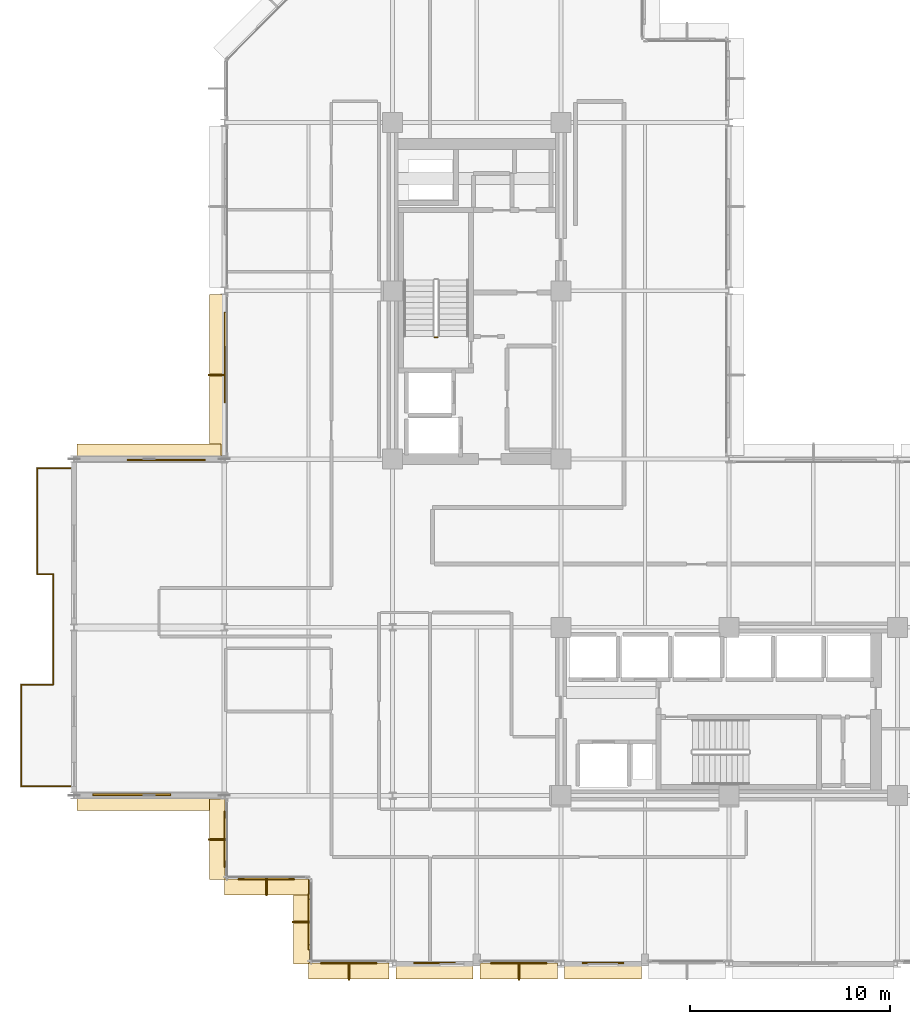
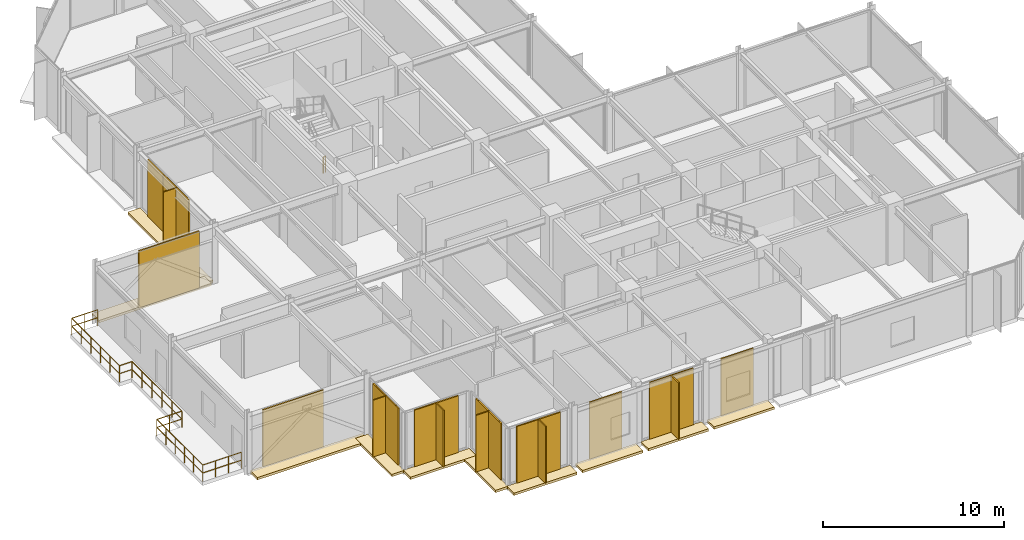
# One storey, part 28 of 30: 20 coverings, 12 shading devices, 8 railings.
"""IFC4 building model written with IfcOpenShell, lengths in metres."""

from ifc_helpers import new_model, si_unit, direction, frame, origin, origin_2d, place, context, subcontext, project, spatial, polyline, rectangle, circle, outline, extrude, material, layer, layer_set, type_object, element, save


model = new_model("IFC4")

# Units and contexts
model_context = context("Model", 3, precision=1e-05, world=origin(), true_north=direction((0.0, 1.0)))
body_context = subcontext(model_context, "Body", "Model", "MODEL_VIEW")
ifc_project = project(units=[si_unit("LENGTHUNIT", "METRE"), si_unit("AREAUNIT", "SQUARE_METRE"), si_unit("VOLUMEUNIT", "CUBIC_METRE"), si_unit("PLANEANGLEUNIT", "RADIAN"), si_unit("MASSUNIT", "GRAM", prefix="KILO")], contexts=[model_context])

# Site, building, storey
site_placement = place(None, origin())
site = spatial("IfcSite", under=ifc_project, at=site_placement, CompositionType="ELEMENT")
building_placement = place(site_placement, origin())
building = spatial("IfcBuilding", under=site, at=building_placement, Name="Nerrivon Quay Data Exchange", CompositionType="ELEMENT")
storey_placement = place(building_placement, frame((0.0, 0.0, 171.39990234375)))
storey = spatial("IfcBuildingStorey", under=building, at=storey_placement, Name="L40", CompositionType="ELEMENT", Elevation=171.39990234375)

# Coverings
ifc_material_1 = material(Name="Architectural terracotta ceramic", Category="masonry")
ifc_layer_1 = layer(ifc_material_1, 0.159912109375)
ifc_layer_set_1 = layer_set([ifc_layer_1], Name="Architectural terracotta ceramic")
covering_type_1 = type_object("IfcCoveringType", Name="COV-BLD-TERR", PredefinedType="CLADDING", material=ifc_layer_set_1)
covering_1_placement = place(storey_placement, frame((0.0, 0.0, -0.159912109375)))
element("IfcCovering", 1, at=covering_1_placement, inside=storey, type_object=covering_type_1, Name="L40 Horizontal Terracotta SOLAR SCREEN Blade", PredefinedType="CLADDING", context=body_context, shape_type="SweptSolid", body=[
    extrude(outline(polyline([(-7.344482421875, 25.159912109375), (-0.175048828125, 25.159912109375), (-0.175048828125, 25.949951171875), (-7.344482421875, 25.949951171875), (-7.344482421875, 25.159912109375)])), origin(), (0.0, 0.0, 1.0), 0.159912109375),
])
covering_2_placement = place(storey_placement, frame((0.0, 0.0, -0.159912109375)))
element("IfcCovering", 2, at=covering_2_placement, inside=storey, type_object=covering_type_1, Name="L40 Horizontal Terracotta SOLAR SCREEN Blade", PredefinedType="CLADDING", context=body_context, shape_type="SweptSolid", body=[
    extrude(outline(polyline([(0.0400390625, 25.375), (0.0400390625, 33.425048828125), (-0.75, 33.425048828125), (-0.75, 25.375), (0.0400390625, 25.375)])), origin(), (0.0, 0.0, 1.0), 0.159912109375),
])
covering_3_placement = place(storey_placement, frame((0.0, 0.0, -0.159912109375)))
element("IfcCovering", 3, at=covering_3_placement, inside=storey, type_object=covering_type_1, Name="L40 Horizontal Terracotta SOLAR SCREEN Blade", PredefinedType="CLADDING", context=body_context, shape_type="SweptSolid", body=[
    extrude(outline(polyline([(20.824951171875, 0.0400390625), (16.97509765625, 0.0400390625), (16.97509765625, -0.75), (20.824951171875, -0.75), (20.824951171875, 0.0400390625)])), origin(), (0.0, 0.0, 1.0), 0.159912109375),
])
covering_4_placement = place(storey_placement, frame((0.0, 0.0, -0.159912109375)))
element("IfcCovering", 4, at=covering_4_placement, inside=storey, type_object=covering_type_1, Name="L40 Horizontal Terracotta SOLAR SCREEN Blade", PredefinedType="CLADDING", context=body_context, shape_type="SweptSolid", body=[
    extrude(outline(polyline([(16.625, 0.0400390625), (12.77490234375, 0.0400390625), (12.77490234375, -0.75), (16.625, -0.75), (16.625, 0.0400390625)])), origin(), (0.0, 0.0, 1.0), 0.159912109375),
])
covering_5_placement = place(storey_placement, frame((0.0, 0.0, -0.159912109375)))
element("IfcCovering", 5, at=covering_5_placement, inside=storey, type_object=covering_type_1, Name="L40 Horizontal Terracotta SOLAR SCREEN Blade", PredefinedType="CLADDING", context=body_context, shape_type="SweptSolid", body=[
    extrude(outline(polyline([(12.425048828125, 0.0400390625), (8.574951171875, 0.0400390625), (8.574951171875, -0.75), (12.425048828125, -0.75), (12.425048828125, 0.0400390625)])), origin(), (0.0, 0.0, 1.0), 0.159912109375),
])
covering_6_placement = place(storey_placement, frame((0.0, 0.0, -0.159912109375)))
element("IfcCovering", 6, at=covering_6_placement, inside=storey, type_object=covering_type_1, Name="L40 Horizontal Terracotta SOLAR SCREEN Blade", PredefinedType="CLADDING", context=body_context, shape_type="SweptSolid", body=[
    extrude(outline(polyline([(8.22509765625, 0.0400390625), (4.199951171875, 0.0400390625), (4.199951171875, -0.75), (8.22509765625, -0.75), (8.22509765625, 0.0400390625)])), origin(), (0.0, 0.0, 1.0), 0.159912109375),
])
covering_7_placement = place(storey_placement, frame((0.0, 0.0, -0.159912109375)))
element("IfcCovering", 7, at=covering_7_placement, inside=storey, type_object=covering_type_1, Name="L40 Horizontal Terracotta SOLAR SCREEN Blade", PredefinedType="CLADDING", context=body_context, shape_type="SweptSolid", body=[
    extrude(outline(polyline([(4.239990234375, 0.0), (4.239990234375, 4.199951171875), (3.449951171875, 4.199951171875), (3.449951171875, 0.0), (4.239990234375, 0.0)])), origin(), (0.0, 0.0, 1.0), 0.159912109375),
])
covering_8_placement = place(storey_placement, frame((0.0, 0.0, -0.159912109375)))
element("IfcCovering", 8, at=covering_8_placement, inside=storey, type_object=covering_type_1, Name="L40 Horizontal Terracotta SOLAR SCREEN Blade", PredefinedType="CLADDING", context=body_context, shape_type="SweptSolid", body=[
    extrude(outline(polyline([(4.199951171875, 4.239990234375), (0.0, 4.239990234375), (0.0, 3.449951171875), (4.199951171875, 3.449951171875), (4.199951171875, 4.239990234375)])), origin(), (0.0, 0.0, 1.0), 0.159912109375),
])
covering_9_placement = place(storey_placement, frame((0.0, 0.0, -0.159912109375)))
element("IfcCovering", 9, at=covering_9_placement, inside=storey, type_object=covering_type_1, Name="L40 Horizontal Terracotta SOLAR SCREEN Blade", PredefinedType="CLADDING", context=body_context, shape_type="SweptSolid", body=[
    extrude(outline(polyline([(0.0400390625, 4.199951171875), (0.0400390625, 8.22509765625), (-0.75, 8.22509765625), (-0.75, 4.199951171875), (0.0400390625, 4.199951171875)])), origin(), (0.0, 0.0, 1.0), 0.159912109375),
])
covering_10_placement = place(storey_placement, frame((0.0, 0.0, -0.159912109375)))
element("IfcCovering", 10, at=covering_10_placement, inside=storey, type_object=covering_type_1, Name="L40 Horizontal Terracotta SOLAR SCREEN Blade", PredefinedType="CLADDING", context=body_context, shape_type="SweptSolid", body=[
    extrude(outline(polyline([(-0.175048828125, 8.43994140625), (-7.344482421875, 8.43994140625), (-7.344482421875, 7.64990234375), (-0.175048828125, 7.64990234375), (-0.175048828125, 8.43994140625)])), origin(), (0.0, 0.0, 1.0), 0.159912109375),
])
ifc_layer_2 = layer(ifc_material_1, 0.090087890625)
ifc_layer_set_2 = layer_set([ifc_layer_2], Name="Architectural terracotta ceramic")
covering_type_2 = type_object("IfcCoveringType", Name="COV-SCR-TERR", PredefinedType="CLADDING", material=ifc_layer_set_2)
covering_11_placement = place(storey_placement, frame((-2.8994140625, 25.155029296875, 0.0), z_axis=(0.0, 0.0, 1.0), x_axis=(1.0, 0.0, 0.0)))
element("IfcCovering", 11, at=covering_11_placement, inside=storey, type_object=covering_type_2, Name="L40 Perforated Terracotta SOLAR SCREEN Cassette", PredefinedType="CLADDING", context=body_context, shape_type="SweptSolid", body=[
    extrude(rectangle(XDim=3.8720703125, YDim=0.090087890625, at=origin_2d()), origin(), (0.0, 0.0, 1.0), 3.824951171875),
])
covering_12_placement = place(storey_placement, frame((0.044921875, 30.365966796875, 0.0), z_axis=(0.0, 0.0, 1.0), x_axis=(0.0, 1.0, 0.0)))
element("IfcCovering", 12, at=covering_12_placement, inside=storey, type_object=covering_type_2, Name="L40 Perforated Terracotta SOLAR SCREEN Cassette", PredefinedType="CLADDING", context=body_context, shape_type="SweptSolid", body=[
    extrude(rectangle(XDim=4.346923828125, YDim=0.090087890625, at=origin_2d()), origin(), (0.0, 0.0, 1.0), 3.824951171875),
])
for number, where, z_axis, x_axis, name in (
    (13, (18.89990234375, 0.044921875, 0.0), (0.0, 0.0, 1.0), (-1.0, 0.0, 0.0), "L40 Perforated Terracotta SOLAR SCREEN Cassette"),
    (14, (14.699951171875, 0.044921875, 0.0), (0.0, 0.0, 1.0), (-1.0, 0.0, 0.0), "L40 Perforated Terracotta SOLAR SCREEN Cassette"),
    (15, (10.5, 0.044921875, 0.0), (0.0, 0.0, 1.0), (-1.0, 0.0, 0.0), "L40 Perforated Terracotta SOLAR SCREEN Cassette"),
):
    element("IfcCovering", number, at=place(storey_placement, frame(where, z_axis=z_axis, x_axis=x_axis)), inside=storey, type_object=covering_type_2, Name=name, PredefinedType="CLADDING", context=body_context, shape_type="SweptSolid", body=[
        extrude(rectangle(XDim=2.0791015625, YDim=0.090087890625, at=origin_2d()), origin(), (0.0, 0.0, 1.0), 3.824951171875),
    ])
covering_13_placement = place(storey_placement, frame((6.21240234375, 0.044921875, 0.0), z_axis=(0.0, 0.0, 1.0), x_axis=(-1.0, 0.0, 0.0)))
element("IfcCovering", 16, at=covering_13_placement, inside=storey, type_object=covering_type_2, Name="L40 Perforated Terracotta SOLAR SCREEN Cassette", PredefinedType="CLADDING", context=body_context, shape_type="SweptSolid", body=[
    extrude(rectangle(XDim=2.173095703125, YDim=0.090087890625, at=origin_2d()), origin(), (0.0, 0.0, 1.0), 3.824951171875),
])
for number, where, z_axis, x_axis, name in (
    (17, (4.2451171875, 2.10009765625, 0.0), (0.0, 0.0, 1.0), (0.0, 1.0, 0.0), "L40 Perforated Terracotta SOLAR SCREEN Cassette"),
    (18, (2.10009765625, 4.2451171875, 0.0), (0.0, 0.0, 1.0), (-1.0, 0.0, 0.0), "L40 Perforated Terracotta SOLAR SCREEN Cassette"),
):
    element("IfcCovering", number, at=place(storey_placement, frame(where, z_axis=z_axis, x_axis=x_axis)), inside=storey, type_object=covering_type_2, Name=name, PredefinedType="CLADDING", context=body_context, shape_type="SweptSolid", body=[
        extrude(rectangle(XDim=2.26806640625, YDim=0.090087890625, at=origin_2d()), origin(), (0.0, 0.0, 1.0), 3.824951171875),
    ])
covering_14_placement = place(storey_placement, frame((0.044921875, 6.21240234375, 0.0), z_axis=(0.0, 0.0, 1.0), x_axis=(0.0, 1.0, 0.0)))
element("IfcCovering", 19, at=covering_14_placement, inside=storey, type_object=covering_type_2, Name="L40 Perforated Terracotta SOLAR SCREEN Cassette", PredefinedType="CLADDING", context=body_context, shape_type="SweptSolid", body=[
    extrude(rectangle(XDim=2.173095703125, YDim=0.090087890625, at=origin_2d()), origin(), (0.0, 0.0, 1.0), 3.824951171875),
])
covering_15_placement = place(storey_placement, frame((-4.6201171875, 8.445068359375, 0.0), z_axis=(0.0, 0.0, 1.0), x_axis=(-1.0, 0.0, 0.0)))
element("IfcCovering", 20, at=covering_15_placement, inside=storey, type_object=covering_type_2, Name="L40 Perforated Terracotta SOLAR SCREEN Cassette", PredefinedType="CLADDING", context=body_context, shape_type="SweptSolid", body=[
    extrude(rectangle(XDim=3.8720703125, YDim=0.090087890625, at=origin_2d()), origin(), (0.0, 0.0, 1.0), 3.824951171875),
])

# Railings
ifc_material_2 = material(Name="Steel Grade C350L0 (350 MPa)", Category="steel")
railing_type_1 = type_object("IfcRailingType", Name="RAIL-GUARD-GR2", PredefinedType="BALUSTRADE", material=ifc_material_2)
railing_1_placement = place(storey_placement, frame((-7.679931640625, 8.860107421875, 0.0)))
element("IfcRailing", 21, at=railing_1_placement, inside=storey, type_object=railing_type_1, Name="L40 Verandah Balcony Guard 1.1 1", PredefinedType="BALUSTRADE", context=body_context, shape_type="SweptSolid", body=[
    extrude(circle(Radius=0.02392578125, at=origin_2d()), frame((0.0, 0.0, 1.09619140625), z_axis=(-1.0, 0.0, 0.0), x_axis=(0.0, -1.0, 0.0)), (0.0, 0.0, 1.0), 2.4599609375),
    extrude(circle(Radius=0.02392578125, at=origin_2d()), frame((0.0, 0.0, 0.56005859375), z_axis=(-1.0, 0.0, 0.0), x_axis=(0.0, -1.0, 0.0)), (0.0, 0.0, 1.0), 2.4599609375),
    extrude(circle(Radius=0.02099609375, at=origin_2d()), origin(), (0.0, 0.0, 1.0), 1.072021484375),
    extrude(circle(Radius=0.02099609375, at=origin_2d()), frame((-0.820068359375, 0.0, 0.0)), (0.0, 0.0, 1.0), 1.072021484375),
    extrude(circle(Radius=0.02099609375, at=origin_2d()), frame((-1.639892578125, 0.0, 0.0)), (0.0, 0.0, 1.0), 1.072021484375),
    extrude(circle(Radius=0.02099609375, at=origin_2d()), frame((-2.4599609375, 0.0, 0.0)), (0.0, 0.0, 1.0), 1.072021484375),
])
railing_2_placement = place(storey_placement, frame((-10.139892578125, 8.860107421875, 0.0)))
element("IfcRailing", 22, at=railing_2_placement, inside=storey, type_object=railing_type_1, Name="L40 Verandah Balcony Guard 1.2 1", PredefinedType="BALUSTRADE", context=body_context, shape_type="SweptSolid", body=[
    extrude(circle(Radius=0.02392578125, at=origin_2d()), frame((0.0, 0.0, 1.09619140625), z_axis=(0.0, 1.0, 0.0), x_axis=(-1.0, 0.0, 0.0)), (0.0, 0.0, 1.0), 5.079833984375),
    extrude(circle(Radius=0.02392578125, at=origin_2d()), frame((0.0, 0.0, 0.56005859375), z_axis=(0.0, 1.0, 0.0), x_axis=(-1.0, 0.0, 0.0)), (0.0, 0.0, 1.0), 5.079833984375),
    extrude(circle(Radius=0.02099609375, at=origin_2d()), origin(), (0.0, 0.0, 1.0), 1.072021484375),
    extrude(circle(Radius=0.02099609375, at=origin_2d()), frame((0.0, 1.015869140625, 0.0)), (0.0, 0.0, 1.0), 1.072021484375),
    extrude(circle(Radius=0.02099609375, at=origin_2d()), frame((0.0, 2.031982421875, 0.0)), (0.0, 0.0, 1.0), 1.072021484375),
    extrude(circle(Radius=0.02099609375, at=origin_2d()), frame((0.0, 3.0478515625, 0.0)), (0.0, 0.0, 1.0), 1.072021484375),
    extrude(circle(Radius=0.02099609375, at=origin_2d()), frame((0.0, 4.06396484375, 0.0)), (0.0, 0.0, 1.0), 1.072021484375),
    extrude(circle(Radius=0.02099609375, at=origin_2d()), frame((0.0, 5.079833984375, 0.0)), (0.0, 0.0, 1.0), 1.072021484375),
])
railing_3_placement = place(storey_placement, frame((-10.139892578125, 13.93994140625, 0.0)))
element("IfcRailing", 23, at=railing_3_placement, inside=storey, type_object=railing_type_1, Name="L40 Verandah Balcony Guard 1.3 1", PredefinedType="BALUSTRADE", context=body_context, shape_type="SweptSolid", body=[
    extrude(circle(Radius=0.02392578125, at=origin_2d()), frame((0.0, 0.0, 1.09619140625), z_axis=(1.0, 0.0, 0.0), x_axis=(0.0, 1.0, 0.0)), (0.0, 0.0, 1.0), 1.599853515625),
    extrude(circle(Radius=0.02392578125, at=origin_2d()), frame((0.0, 0.0, 0.56005859375), z_axis=(1.0, 0.0, 0.0), x_axis=(0.0, 1.0, 0.0)), (0.0, 0.0, 1.0), 1.599853515625),
    extrude(circle(Radius=0.02099609375, at=origin_2d()), origin(), (0.0, 0.0, 1.0), 1.072021484375),
    extrude(circle(Radius=0.02099609375, at=origin_2d()), frame((0.7998046875, 0.0, 0.0)), (0.0, 0.0, 1.0), 1.072021484375),
    extrude(circle(Radius=0.02099609375, at=origin_2d()), frame((1.599853515625, 0.0, 0.0)), (0.0, 0.0, 1.0), 1.072021484375),
])
railing_4_placement = place(storey_placement, frame((-8.5400390625, 13.93994140625, 0.0)))
element("IfcRailing", 24, at=railing_4_placement, inside=storey, type_object=railing_type_1, Name="L40 Verandah Balcony Guard 1.4 1", PredefinedType="BALUSTRADE", context=body_context, shape_type="SweptSolid", body=[
    extrude(circle(Radius=0.02392578125, at=origin_2d()), frame((0.0, 0.0, 1.09619140625), z_axis=(0.0, 1.0, 0.0), x_axis=(-1.0, 0.0, 0.0)), (0.0, 0.0, 1.0), 5.52001953125),
    extrude(circle(Radius=0.02392578125, at=origin_2d()), frame((0.0, 0.0, 0.56005859375), z_axis=(0.0, 1.0, 0.0), x_axis=(-1.0, 0.0, 0.0)), (0.0, 0.0, 1.0), 5.52001953125),
    extrude(circle(Radius=0.02099609375, at=origin_2d()), origin(), (0.0, 0.0, 1.0), 1.072021484375),
    extrude(circle(Radius=0.02099609375, at=origin_2d()), frame((0.0, 1.10400390625, 0.0)), (0.0, 0.0, 1.0), 1.072021484375),
    extrude(circle(Radius=0.02099609375, at=origin_2d()), frame((0.0, 2.2080078125, 0.0)), (0.0, 0.0, 1.0), 1.072021484375),
    extrude(circle(Radius=0.02099609375, at=origin_2d()), frame((0.0, 3.31201171875, 0.0)), (0.0, 0.0, 1.0), 1.072021484375),
    extrude(circle(Radius=0.02099609375, at=origin_2d()), frame((0.0, 4.416015625, 0.0)), (0.0, 0.0, 1.0), 1.072021484375),
    extrude(circle(Radius=0.02099609375, at=origin_2d()), frame((0.0, 5.52001953125, 0.0)), (0.0, 0.0, 1.0), 1.072021484375),
])
railing_5_placement = place(storey_placement, frame((-8.5400390625, 19.4599609375, 0.0)))
element("IfcRailing", 25, at=railing_5_placement, inside=storey, type_object=railing_type_1, Name="L40 Verandah Balcony Guard 1.5 1", PredefinedType="BALUSTRADE", context=body_context, shape_type="SweptSolid", body=[
    extrude(circle(Radius=0.02392578125, at=origin_2d()), frame((0.0, 0.0, 1.09619140625), z_axis=(-1.0, 0.0, 0.0), x_axis=(0.0, -1.0, 0.0)), (0.0, 0.0, 1.0), 0.800048828125),
    extrude(circle(Radius=0.02392578125, at=origin_2d()), frame((0.0, 0.0, 0.56005859375), z_axis=(-1.0, 0.0, 0.0), x_axis=(0.0, -1.0, 0.0)), (0.0, 0.0, 1.0), 0.800048828125),
    extrude(circle(Radius=0.02099609375, at=origin_2d()), origin(), (0.0, 0.0, 1.0), 1.072021484375),
    extrude(circle(Radius=0.02099609375, at=origin_2d()), frame((-0.800048828125, 0.0, 0.0)), (0.0, 0.0, 1.0), 1.072021484375),
])
railing_6_placement = place(storey_placement, frame((-9.340087890625, 19.4599609375, 0.0)))
element("IfcRailing", 26, at=railing_6_placement, inside=storey, type_object=railing_type_1, Name="L40 Verandah Balcony Guard 1.6 1", PredefinedType="BALUSTRADE", context=body_context, shape_type="SweptSolid", body=[
    extrude(circle(Radius=0.02392578125, at=origin_2d()), frame((0.0, 0.0, 1.09619140625), z_axis=(0.0, 1.0, 0.0), x_axis=(-1.0, 0.0, 0.0)), (0.0, 0.0, 1.0), 5.280029296875),
    extrude(circle(Radius=0.02392578125, at=origin_2d()), frame((0.0, 0.0, 0.56005859375), z_axis=(0.0, 1.0, 0.0), x_axis=(-1.0, 0.0, 0.0)), (0.0, 0.0, 1.0), 5.280029296875),
    extrude(circle(Radius=0.02099609375, at=origin_2d()), origin(), (0.0, 0.0, 1.0), 1.072021484375),
    extrude(circle(Radius=0.02099609375, at=origin_2d()), frame((0.0, 1.055908203125, 0.0)), (0.0, 0.0, 1.0), 1.072021484375),
    extrude(circle(Radius=0.02099609375, at=origin_2d()), frame((0.0, 2.112060546875, 0.0)), (0.0, 0.0, 1.0), 1.072021484375),
    extrude(circle(Radius=0.02099609375, at=origin_2d()), frame((0.0, 3.16796875, 0.0)), (0.0, 0.0, 1.0), 1.072021484375),
    extrude(circle(Radius=0.02099609375, at=origin_2d()), frame((0.0, 4.22412109375, 0.0)), (0.0, 0.0, 1.0), 1.072021484375),
    extrude(circle(Radius=0.02099609375, at=origin_2d()), frame((0.0, 5.280029296875, 0.0)), (0.0, 0.0, 1.0), 1.072021484375),
])
railing_7_placement = place(storey_placement, frame((-9.340087890625, 24.739990234375, 0.0)))
element("IfcRailing", 27, at=railing_7_placement, inside=storey, type_object=railing_type_1, Name="L40 Verandah Balcony Guard 1.7 1", PredefinedType="BALUSTRADE", context=body_context, shape_type="SweptSolid", body=[
    extrude(circle(Radius=0.02392578125, at=origin_2d()), frame((0.0, 0.0, 1.09619140625), z_axis=(1.0, 0.0, 0.0), x_axis=(0.0, 1.0, 0.0)), (0.0, 0.0, 1.0), 1.66015625),
    extrude(circle(Radius=0.02392578125, at=origin_2d()), frame((0.0, 0.0, 0.56005859375), z_axis=(1.0, 0.0, 0.0), x_axis=(0.0, 1.0, 0.0)), (0.0, 0.0, 1.0), 1.66015625),
    extrude(circle(Radius=0.02099609375, at=origin_2d()), origin(), (0.0, 0.0, 1.0), 1.072021484375),
    extrude(circle(Radius=0.02099609375, at=origin_2d()), frame((0.830078125, 0.0, 0.0)), (0.0, 0.0, 1.0), 1.072021484375),
    extrude(circle(Radius=0.02099609375, at=origin_2d()), frame((1.66015625, 0.0, 0.0)), (0.0, 0.0, 1.0), 1.072021484375),
])
railing_type_2 = type_object("IfcRailingType", Name="RAIL-STAIR-GR1", PredefinedType="BALUSTRADE", material=ifc_material_2)
railing_8_placement = place(storey_placement, frame((10.64990234375, 31.280029296875, 0.0)))
element("IfcRailing", 28, at=railing_8_placement, inside=storey, type_object=railing_type_2, Name="L40 ST01 stair guard 4", PredefinedType="BALUSTRADE", context=body_context, shape_type="SweptSolid", body=[
    extrude(circle(Radius=0.02392578125, at=origin_2d()), frame((0.0, 0.0, 1.076171875), z_axis=(-1.0, 0.0, 0.0), x_axis=(0.0, -1.0, 0.0)), (0.0, 0.0, 1.0), 0.14990234375),
    extrude(circle(Radius=0.02392578125, at=origin_2d()), frame((0.0, 0.0, 0.550048828125), z_axis=(-1.0, 0.0, 0.0), x_axis=(0.0, -1.0, 0.0)), (0.0, 0.0, 1.0), 0.14990234375),
    extrude(circle(Radius=0.02099609375, at=origin_2d()), origin(), (0.0, 0.0, 1.0), 1.052001953125),
    extrude(circle(Radius=0.02099609375, at=origin_2d()), frame((-0.14990234375, 0.0, 0.0)), (0.0, 0.0, 1.0), 1.052001953125),
])

# Shading devices
ifc_layer_3 = layer(ifc_material_1, 0.074951171875)
ifc_layer_set_3 = layer_set([ifc_layer_3], Name="Architectural terracotta ceramic")
shading_device_type_1 = type_object("IfcShadingDeviceType", Name="SHD-FIN-SS02", PredefinedType="USERDEFINED", material=ifc_layer_set_3)
for number, where, z_axis, x_axis, name in (
    (29, (-0.3798828125, 29.39990234375, 0.0), (0.0, 0.0, 1.0), (0.0, 1.0, 0.0), "L40 Subtropical Solar Fin Blade 4"),
    (30, (14.699951171875, -0.3798828125, 0.0), (0.0, 0.0, 1.0), (-1.0, 0.0, 0.0), "L40 Subtropical Solar Fin Blade 26"),
    (31, (6.21240234375, -0.3798828125, 0.0), (0.0, 0.0, 1.0), (-1.0, 0.0, 0.0), "L40 Subtropical Solar Fin Blade 28"),
    (32, (3.820068359375, 2.10009765625, 0.0), (0.0, 0.0, 1.0), (0.0, 1.0, 0.0), "L40 Subtropical Solar Fin Blade 29"),
    (33, (2.10009765625, 3.820068359375, 0.0), (0.0, 0.0, 1.0), (-1.0, 0.0, 0.0), "L40 Subtropical Solar Fin Blade 30"),
    (34, (-0.3798828125, 6.21240234375, 0.0), (0.0, 0.0, 1.0), (0.0, 1.0, 0.0), "L40 Subtropical Solar Fin Blade 31"),
):
    element("IfcShadingDevice", number, at=place(storey_placement, frame(where, z_axis=z_axis, x_axis=x_axis)), inside=storey, type_object=shading_device_type_1, Name=name, ObjectType="FIN", PredefinedType="USERDEFINED", context=body_context, shape_type="SweptSolid", body=[
        extrude(rectangle(XDim=0.074951171875, YDim=0.85009765625, at=origin_2d()), origin(), (0.0, 0.0, 1.0), 3.824951171875),
    ])
ifc_layer_4 = layer(ifc_material_1, 0.0849609375)
ifc_layer_set_4 = layer_set([ifc_layer_4], Name="Architectural terracotta ceramic")
shading_device_type_2 = type_object("IfcShadingDeviceType", Name="SHD-SCR-SS01", PredefinedType="USERDEFINED", material=ifc_layer_set_4)
for number, where, z_axis, x_axis, name in (
    (35, (0.0400390625, 29.39990234375, 0.0), (0.0, 0.0, 1.0), (0.0, 1.0, 0.0), "L40 Perforated Terracotta Solar Screen 4"),
    (36, (14.699951171875, 0.0400390625, 0.0), (0.0, 0.0, 1.0), (-1.0, 0.0, 0.0), "L40 Perforated Terracotta Solar Screen 26"),
    (37, (6.21240234375, 0.0400390625, 0.0), (0.0, 0.0, 1.0), (-1.0, 0.0, 0.0), "L40 Perforated Terracotta Solar Screen 28"),
    (38, (4.239990234375, 2.10009765625, 0.0), (0.0, 0.0, 1.0), (0.0, 1.0, 0.0), "L40 Perforated Terracotta Solar Screen 29"),
    (39, (2.10009765625, 4.239990234375, 0.0), (0.0, 0.0, 1.0), (-1.0, 0.0, 0.0), "L40 Perforated Terracotta Solar Screen 30"),
    (40, (0.0400390625, 6.21240234375, 0.0), (0.0, 0.0, 1.0), (0.0, 1.0, 0.0), "L40 Perforated Terracotta Solar Screen 31"),
):
    element("IfcShadingDevice", number, at=place(storey_placement, frame(where, z_axis=z_axis, x_axis=x_axis)), inside=storey, type_object=shading_device_type_2, Name=name, ObjectType="SCREEN", PredefinedType="USERDEFINED", context=body_context, shape_type="SweptSolid", body=[
        extrude(rectangle(XDim=2.800048828125, YDim=0.0849609375, at=origin_2d()), origin(), (0.0, 0.0, 1.0), 3.824951171875),
    ])

save(model, "model.ifc")
